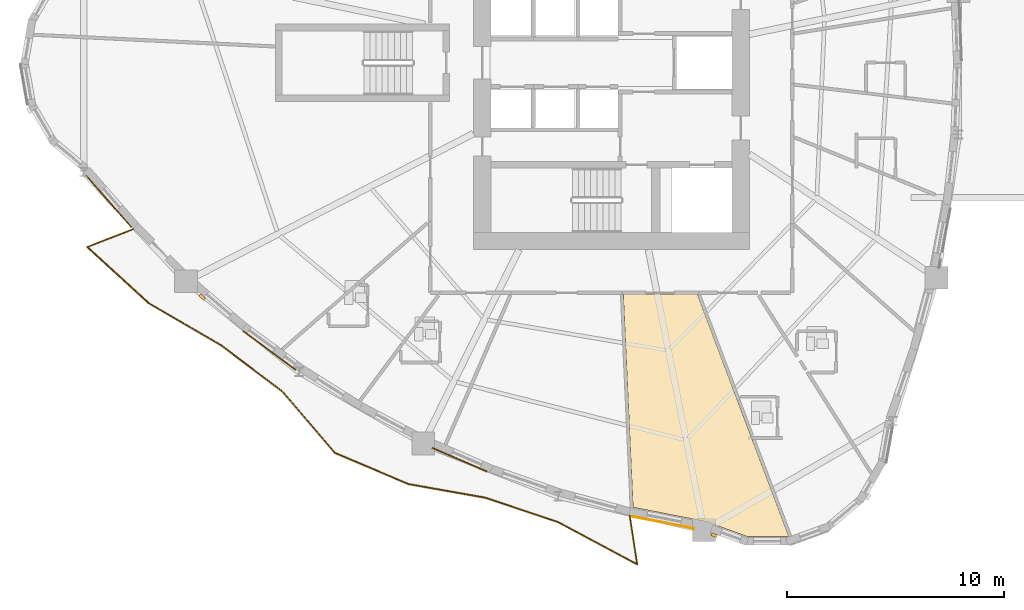
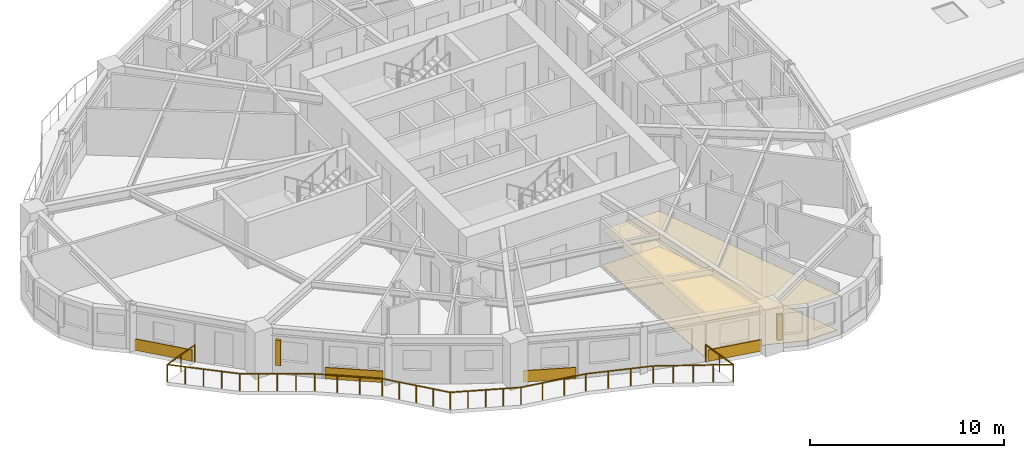
# One storey, part 11 of 15: 6 coverings, 2 shading devices, 1 railing.
"""IFC4 building model written with IfcOpenShell, lengths in metres."""

from ifc_helpers import new_model, si_unit, direction, frame, origin, origin_2d, place, context, subcontext, project, spatial, polyline, rectangle, circle, outline, extrude, source, transform, mapped, material, layer, layer_set, type_object, element, save


model = new_model("IFC4")

# Units and contexts
model_context = context("Model", 3, precision=1e-05, world=origin(), true_north=direction((0.0, 1.0)))
body_context = subcontext(model_context, "Body", "Model", "MODEL_VIEW")
ifc_project = project(units=[si_unit("LENGTHUNIT", "METRE"), si_unit("AREAUNIT", "SQUARE_METRE"), si_unit("VOLUMEUNIT", "CUBIC_METRE"), si_unit("PLANEANGLEUNIT", "RADIAN"), si_unit("MASSUNIT", "GRAM", prefix="KILO")], contexts=[model_context])

# Site, building, storey
site_placement = place(None, origin())
site = spatial("IfcSite", under=ifc_project, at=site_placement, CompositionType="ELEMENT")
building_placement = place(site_placement, origin())
building = spatial("IfcBuilding", under=site, at=building_placement, Name="Qafzar Sky-Pleat Residences", CompositionType="ELEMENT")
storey_placement = place(building_placement, frame((0.0, 0.0, 36.60009765625)))
storey = spatial("IfcBuildingStorey", under=building, at=storey_placement, Name="L10", CompositionType="ELEMENT", Elevation=36.60009765625)

# Coverings
ifc_material_1 = material(Name="Perforated acoustic gypsum board ceiling")
ifc_layer_1 = layer(ifc_material_1, 0.02001953125)
ifc_layer_set_1 = layer_set([ifc_layer_1], Name="Perforated acoustic gypsum board ceiling")
covering_type_1 = type_object("IfcCoveringType", Name="COV-CEIL-ACOUSTIC", PredefinedType="CEILING", material=ifc_layer_set_1)
covering_1_placement = place(storey_placement, frame((0.0, 0.0, 2.239990234375)))
element("IfcCovering", 1, at=covering_1_placement, inside=storey, type_object=covering_type_1, Name="L10 Co-Living Lounge Acoustic Ceiling", PredefinedType="CEILING", context=body_context, shape_type="SweptSolid", body=[
    extrude(outline(polyline([(38.4541015625, 4.203369140625), (36.580810546875, 4.203369140625), (34.72509765625, 4.87890625), (31.346923828125, 5.542724609375), (30.897216796875, 15.360107421875), (34.303955078125, 15.360107421875), (38.50927734375, 4.223388671875), (38.4541015625, 4.203369140625)])), origin(), (0.0, 0.0, 1.0), 0.02001953125),
])
ifc_material_2 = material(Name="Honed porcelain and Riyadh stone tile flooring", Category="masonry")
ifc_layer_2 = layer(ifc_material_2, 0.02001953125)
ifc_layer_set_2 = layer_set([ifc_layer_2], Name="Honed porcelain and Riyadh stone tile flooring")
covering_type_2 = type_object("IfcCoveringType", Name="COV-FLR-PORCELAIN", PredefinedType="FLOORING", material=ifc_layer_set_2)
covering_2_placement = place(storey_placement, origin())
element("IfcCovering", 2, at=covering_2_placement, inside=storey, type_object=covering_type_2, Name="L10 Co-Living Lounge Honed Stone Flooring", PredefinedType="FLOORING", context=body_context, shape_type="SweptSolid", body=[
    extrude(outline(polyline([(38.4541015625, 4.203369140625), (36.580810546875, 4.203369140625), (34.72509765625, 4.87890625), (31.346923828125, 5.542724609375), (30.897216796875, 15.360107421875), (34.303955078125, 15.360107421875), (38.50927734375, 4.223388671875), (38.4541015625, 4.203369140625)])), origin(), (0.0, 0.0, 1.0), 0.02001953125),
])

# Shading devices
ifc_material_3 = material(Name="Honed Riyadh limestone solar fin", Category="masonry")
ifc_layer_3 = layer(ifc_material_3, 0.139892578125)
ifc_layer_set_3 = layer_set([ifc_layer_3], Name="Honed Riyadh limestone solar fin")
shading_device_type = type_object("IfcShadingDeviceType", Name="SHD-FIN-STONE", PredefinedType="SHUTTER", material=ifc_layer_set_3)
shared_shape_1 = source(origin(), body_context, "Body", "SweptSolid", [
    extrude(rectangle(XDim=0.139892578125, YDim=0.280029296875, at=origin_2d()), origin(), (0.0, 0.0, 1.0), 1.60009765625),
])
for number, where, z_axis, x_axis, name in (
    (3, (11.516357421875, 15.2177734375, 0.599853515625), (0.0, 0.0, 1.0), (-0.652860043675, -0.757478556378, 0.0), "L10 Limestone Solar Fin 9"),
    (4, (35.080322265625, 4.254638671875, 0.599853515625), (0.0, 0.0, 1.0), (-0.342053959704, -0.939680311942, 0.0), "L10 Limestone Solar Fin 17"),
):
    element("IfcShadingDevice", number, at=place(storey_placement, frame(where, z_axis=z_axis, x_axis=x_axis)), inside=storey, type_object=shading_device_type, Name=name, PredefinedType="SHUTTER", context=body_context, shape_type="MappedRepresentation", body=[
        mapped(shared_shape_1, transform((0.0, 0.0, 0.0), x_axis=(1.0, 0.0, 0.0), y_axis=(0.0, 1.0, 0.0), z_axis=(0.0, 0.0, 1.0), scale=1.0)),
    ])

# Coverings
ifc_material_4 = material(Name="Honed Riyadh Tuwaiq limestone cladding", Category="masonry")
ifc_layer_4 = layer(ifc_material_4, 0.044921875)
ifc_layer_set_4 = layer_set([ifc_layer_4], Name="Honed Riyadh Tuwaiq limestone cladding")
covering_type_3 = type_object("IfcCoveringType", Name="COV-CLAD-STONE", PredefinedType="CLADDING", material=ifc_layer_set_4)
shared_shape_2 = source(origin(), body_context, "Body", "SweptSolid", [
    extrude(rectangle(XDim=2.750732421875, YDim=0.044921875, at=origin_2d()), origin(), (0.0, 0.0, 1.0), 0.719970703125),
])
covering_3_placement = place(storey_placement, frame((23.36083984375, 7.733154296875, 0.02001953125), z_axis=(0.0, 0.0, 1.0), x_axis=(0.917076298209, -0.398711754609, 0.0)))
element("IfcCovering", 5, at=covering_3_placement, inside=storey, type_object=covering_type_3, Name="L10 Riyadh Limestone Spandrel Cladding 13", PredefinedType="CLADDING", context=body_context, shape_type="MappedRepresentation", body=[
    mapped(shared_shape_2, transform((0.0, 0.0, 0.0), x_axis=(1.0, 0.0, 0.0), y_axis=(0.0, 1.0, 0.0), z_axis=(0.0, 0.0, 1.0), scale=1.0)),
])
shared_shape_3 = source(origin(), body_context, "Body", "SweptSolid", [
    extrude(rectangle(XDim=3.002685546875, YDim=0.044921875, at=origin_2d()), origin(), (0.0, 0.0, 1.0), 0.719970703125),
])
covering_4_placement = place(storey_placement, frame((14.612548828125, 12.765625, 0.02001953125), z_axis=(0.0, 0.0, 1.0), x_axis=(0.80380721377, -0.594889874759, 0.0)))
element("IfcCovering", 6, at=covering_4_placement, inside=storey, type_object=covering_type_3, Name="L10 Riyadh Limestone Spandrel Cladding 10", PredefinedType="CLADDING", context=body_context, shape_type="MappedRepresentation", body=[
    mapped(shared_shape_3, transform((0.0, 0.0, 0.0), x_axis=(1.0, 0.0, 0.0), y_axis=(0.0, 1.0, 0.0), z_axis=(0.0, 0.0, 1.0), scale=1.0)),
])

# Railing
ifc_material_5 = material(Name="Laminated glass and bronze steel balustrade", Category="steel")
railing_type = type_object("IfcRailingType", Name="RAIL-BAL-1100", PredefinedType="BALUSTRADE", material=ifc_material_5)
shared_shape_4 = source(origin(), body_context, "Body", "SweptSolid", [
    extrude(circle(Radius=0.02392578125, at=origin_2d()), frame((0.0, 0.0, 1.076171875), z_axis=(-0.93187749249, -0.362773123302, 0.0), x_axis=(0.362773123302, -0.93187749249, 0.0)), (0.0, 0.0, 1.0), 2.270751953125),
    extrude(circle(Radius=0.02392578125, at=origin_2d()), frame((-2.115966796875, -0.82373046875, 1.076171875), z_axis=(0.738061478164, -0.674733469194, 0.0), x_axis=(0.674733469194, 0.738061478164, 0.0)), (0.0, 0.0, 1.0), 3.828125),
    extrude(circle(Radius=0.02392578125, at=origin_2d()), frame((0.70947265625, -3.40673828125, 1.076171875), z_axis=(0.864034834145, -0.503432026577, 0.0), x_axis=(0.503432026577, 0.864034834145, 0.0)), (0.0, 0.0, 1.0), 3.873291015625),
    extrude(circle(Radius=0.02392578125, at=origin_2d()), frame((4.05615234375, -5.356689453125, 1.076171875), z_axis=(0.79850903917, -0.601982818994, 0.0), x_axis=(0.601982818994, 0.79850903917, 0.0)), (0.0, 0.0, 1.0), 3.523193359375),
    extrude(circle(Radius=0.02392578125, at=origin_2d()), frame((6.869384765625, -7.4775390625, 1.076171875), z_axis=(0.650483171252, -0.75952066721, 0.0), x_axis=(0.75952066721, 0.650483171252, 0.0)), (0.0, 0.0, 1.0), 3.718994140625),
    extrude(circle(Radius=0.02392578125, at=origin_2d()), frame((9.28857421875, -10.30224609375, 1.076171875), z_axis=(0.920642534408, -0.390406613466, 0.0), x_axis=(0.390406613466, 0.920642534408, 0.0)), (0.0, 0.0, 1.0), 3.677001953125),
    extrude(circle(Radius=0.02392578125, at=origin_2d()), frame((12.673828125, -11.73779296875, 1.076171875), z_axis=(0.984632373973, -0.174639881253, 0.0), x_axis=(0.174639881253, 0.984632373973, 0.0)), (0.0, 0.0, 1.0), 3.569091796875),
    extrude(circle(Radius=0.02392578125, at=origin_2d()), frame((16.18798828125, -12.361083984375, 1.076171875), z_axis=(0.948566262118, -0.316578657479, 0.0), x_axis=(0.316578657479, 0.948566262118, 0.0)), (0.0, 0.0, 1.0), 3.54833984375),
    extrude(circle(Radius=0.02392578125, at=origin_2d()), frame((19.5537109375, -13.484375, 1.076171875), z_axis=(0.881243003692, -0.472663483298, 0.0), x_axis=(0.472663483298, 0.881243003692, 0.0)), (0.0, 0.0, 1.0), 4.137451171875),
    extrude(circle(Radius=0.02392578125, at=origin_2d()), frame((23.19970703125, -15.43994140625, 1.076171875), z_axis=(-0.151798667183, 0.9884114349, 0.0), x_axis=(-0.9884114349, -0.151798667183, 0.0)), (0.0, 0.0, 1.0), 2.27099609375),
    extrude(circle(Radius=0.02099609375, at=origin_2d()), origin(), (0.0, 0.0, 1.0), 1.052001953125),
    extrude(circle(Radius=0.02099609375, at=origin_2d()), frame((-1.05810546875, -0.411865234375, 0.0)), (0.0, 0.0, 1.0), 1.052001953125),
    extrude(circle(Radius=0.02099609375, at=origin_2d()), frame((-2.115966796875, -0.82373046875, 0.0)), (0.0, 0.0, 1.0), 1.052001953125),
    extrude(circle(Radius=0.02099609375, at=origin_2d()), frame((-1.40966796875, -1.469482421875, 0.0)), (0.0, 0.0, 1.0), 1.052001953125),
    extrude(circle(Radius=0.02099609375, at=origin_2d()), frame((-0.703125, -2.115234375, 0.0)), (0.0, 0.0, 1.0), 1.052001953125),
    extrude(circle(Radius=0.02099609375, at=origin_2d()), frame((0.003173828125, -2.760986328125, 0.0)), (0.0, 0.0, 1.0), 1.052001953125),
    extrude(circle(Radius=0.02099609375, at=origin_2d()), frame((0.70947265625, -3.40673828125, 0.0)), (0.0, 0.0, 1.0), 1.052001953125),
    extrude(circle(Radius=0.02099609375, at=origin_2d()), frame((1.546142578125, -3.894287109375, 0.0)), (0.0, 0.0, 1.0), 1.052001953125),
    extrude(circle(Radius=0.02099609375, at=origin_2d()), frame((2.3828125, -4.3818359375, 0.0)), (0.0, 0.0, 1.0), 1.052001953125),
    extrude(circle(Radius=0.02099609375, at=origin_2d()), frame((3.219482421875, -4.869140625, 0.0)), (0.0, 0.0, 1.0), 1.052001953125),
    extrude(circle(Radius=0.02099609375, at=origin_2d()), frame((4.05615234375, -5.356689453125, 0.0)), (0.0, 0.0, 1.0), 1.052001953125),
    extrude(circle(Radius=0.02099609375, at=origin_2d()), frame((4.993896484375, -6.063720703125, 0.0)), (0.0, 0.0, 1.0), 1.052001953125),
    extrude(circle(Radius=0.02099609375, at=origin_2d()), frame((5.931640625, -6.7705078125, 0.0)), (0.0, 0.0, 1.0), 1.052001953125),
    extrude(circle(Radius=0.02099609375, at=origin_2d()), frame((6.869384765625, -7.4775390625, 0.0)), (0.0, 0.0, 1.0), 1.052001953125),
    extrude(circle(Radius=0.02099609375, at=origin_2d()), frame((7.47412109375, -8.18359375, 0.0)), (0.0, 0.0, 1.0), 1.052001953125),
    extrude(circle(Radius=0.02099609375, at=origin_2d()), frame((8.0791015625, -8.889892578125, 0.0)), (0.0, 0.0, 1.0), 1.052001953125),
    extrude(circle(Radius=0.02099609375, at=origin_2d()), frame((8.683837890625, -9.59619140625, 0.0)), (0.0, 0.0, 1.0), 1.052001953125),
    extrude(circle(Radius=0.02099609375, at=origin_2d()), frame((9.28857421875, -10.30224609375, 0.0)), (0.0, 0.0, 1.0), 1.052001953125),
    extrude(circle(Radius=0.02099609375, at=origin_2d()), frame((10.134765625, -10.6611328125, 0.0)), (0.0, 0.0, 1.0), 1.052001953125),
    extrude(circle(Radius=0.02099609375, at=origin_2d()), frame((10.981201171875, -11.02001953125, 0.0)), (0.0, 0.0, 1.0), 1.052001953125),
    extrude(circle(Radius=0.02099609375, at=origin_2d()), frame((11.82763671875, -11.37890625, 0.0)), (0.0, 0.0, 1.0), 1.052001953125),
    extrude(circle(Radius=0.02099609375, at=origin_2d()), frame((12.673828125, -11.73779296875, 0.0)), (0.0, 0.0, 1.0), 1.052001953125),
    extrude(circle(Radius=0.02099609375, at=origin_2d()), frame((13.84521484375, -11.945556640625, 0.0)), (0.0, 0.0, 1.0), 1.052001953125),
    extrude(circle(Radius=0.02099609375, at=origin_2d()), frame((15.0166015625, -12.1533203125, 0.0)), (0.0, 0.0, 1.0), 1.052001953125),
    extrude(circle(Radius=0.02099609375, at=origin_2d()), frame((16.18798828125, -12.361083984375, 0.0)), (0.0, 0.0, 1.0), 1.052001953125),
    extrude(circle(Radius=0.02099609375, at=origin_2d()), frame((17.309814453125, -12.735595703125, 0.0)), (0.0, 0.0, 1.0), 1.052001953125),
    extrude(circle(Radius=0.02099609375, at=origin_2d()), frame((18.431884765625, -13.10986328125, 0.0)), (0.0, 0.0, 1.0), 1.052001953125),
    extrude(circle(Radius=0.02099609375, at=origin_2d()), frame((19.5537109375, -13.484375, 0.0)), (0.0, 0.0, 1.0), 1.052001953125),
    extrude(circle(Radius=0.02099609375, at=origin_2d()), frame((20.46533203125, -13.97314453125, 0.0)), (0.0, 0.0, 1.0), 1.052001953125),
    extrude(circle(Radius=0.02099609375, at=origin_2d()), frame((21.376708984375, -14.462158203125, 0.0)), (0.0, 0.0, 1.0), 1.052001953125),
    extrude(circle(Radius=0.02099609375, at=origin_2d()), frame((22.2880859375, -14.951171875, 0.0)), (0.0, 0.0, 1.0), 1.052001953125),
    extrude(circle(Radius=0.02099609375, at=origin_2d()), frame((23.19970703125, -15.43994140625, 0.0)), (0.0, 0.0, 1.0), 1.052001953125),
    extrude(circle(Radius=0.02099609375, at=origin_2d()), frame((23.02734375, -14.317626953125, 0.0)), (0.0, 0.0, 1.0), 1.052001953125),
    extrude(circle(Radius=0.02099609375, at=origin_2d()), frame((22.85498046875, -13.1953125, 0.0)), (0.0, 0.0, 1.0), 1.052001953125),
])
railing_placement = place(storey_placement, frame((8.34521484375, 18.34765625, 0.0)))
element("IfcRailing", 7, at=railing_placement, inside=storey, type_object=railing_type, Name="L10 Pleated Balcony 2 Balustrade", PredefinedType="BALUSTRADE", context=body_context, shape_type="MappedRepresentation", body=[
    mapped(shared_shape_4, transform((0.0, 0.0, 0.0), x_axis=(1.0, 0.0, 0.0), y_axis=(0.0, 1.0, 0.0), z_axis=(0.0, 0.0, 1.0), scale=1.0)),
])

# Coverings
shared_shape_5 = source(origin(), body_context, "Body", "SweptSolid", [
    extrude(rectangle(XDim=3.152099609375, YDim=0.044921875, at=origin_2d()), origin(), (0.0, 0.0, 1.0), 0.719970703125),
])
covering_5_placement = place(storey_placement, frame((7.213134765625, 19.62841796875, 0.02001953125), z_axis=(0.0, 0.0, 1.0), x_axis=(0.657632958585, -0.753338497478, 0.0)))
element("IfcCovering", 8, at=covering_5_placement, inside=storey, type_object=covering_type_3, Name="L10 Riyadh Limestone Spandrel Cladding 7", PredefinedType="CLADDING", context=body_context, shape_type="MappedRepresentation", body=[
    mapped(shared_shape_5, transform((0.0, 0.0, 0.0), x_axis=(1.0, 0.0, 0.0), y_axis=(0.0, 1.0, 0.0), z_axis=(0.0, 0.0, 1.0), scale=1.0)),
])
shared_shape_6 = source(origin(), body_context, "Body", "SweptSolid", [
    extrude(rectangle(XDim=2.900146484375, YDim=0.044921875, at=origin_2d()), origin(), (0.0, 0.0, 1.0), 0.719970703125),
])
covering_6_placement = place(storey_placement, frame((32.738037109375, 4.839111328125, 0.02001953125), z_axis=(0.0, 0.0, 1.0), x_axis=(0.981236346143, -0.192808799094, 0.0)))
element("IfcCovering", 9, at=covering_6_placement, inside=storey, type_object=covering_type_3, Name="L10 Riyadh Limestone Spandrel Cladding 16", PredefinedType="CLADDING", context=body_context, shape_type="MappedRepresentation", body=[
    mapped(shared_shape_6, transform((0.0, 0.0, 0.0), x_axis=(1.0, 0.0, 0.0), y_axis=(0.0, 1.0, 0.0), z_axis=(0.0, 0.0, 1.0), scale=1.0)),
])

save(model, "model.ifc")
